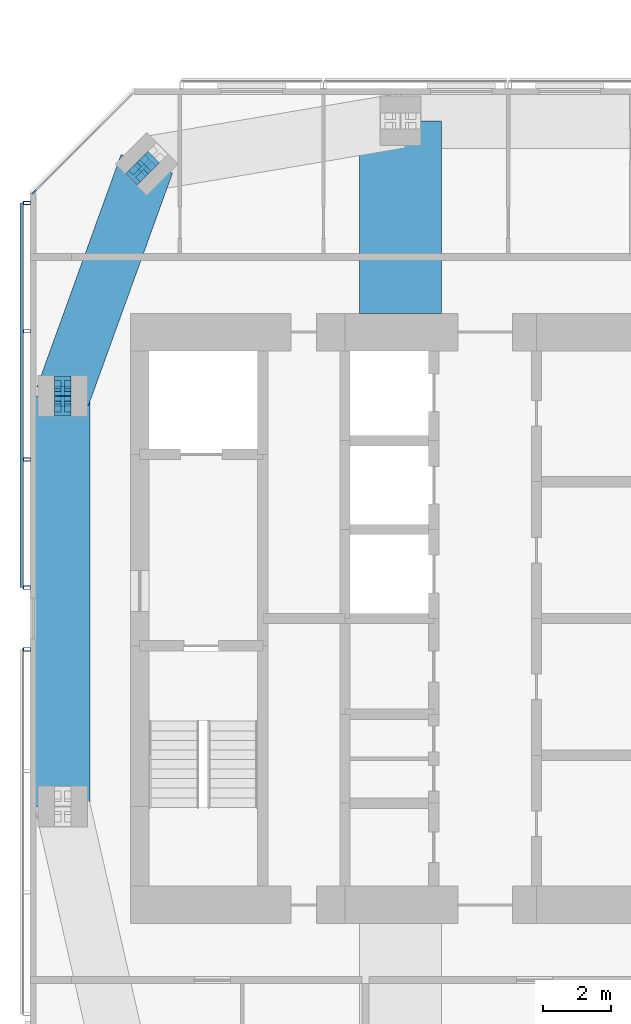
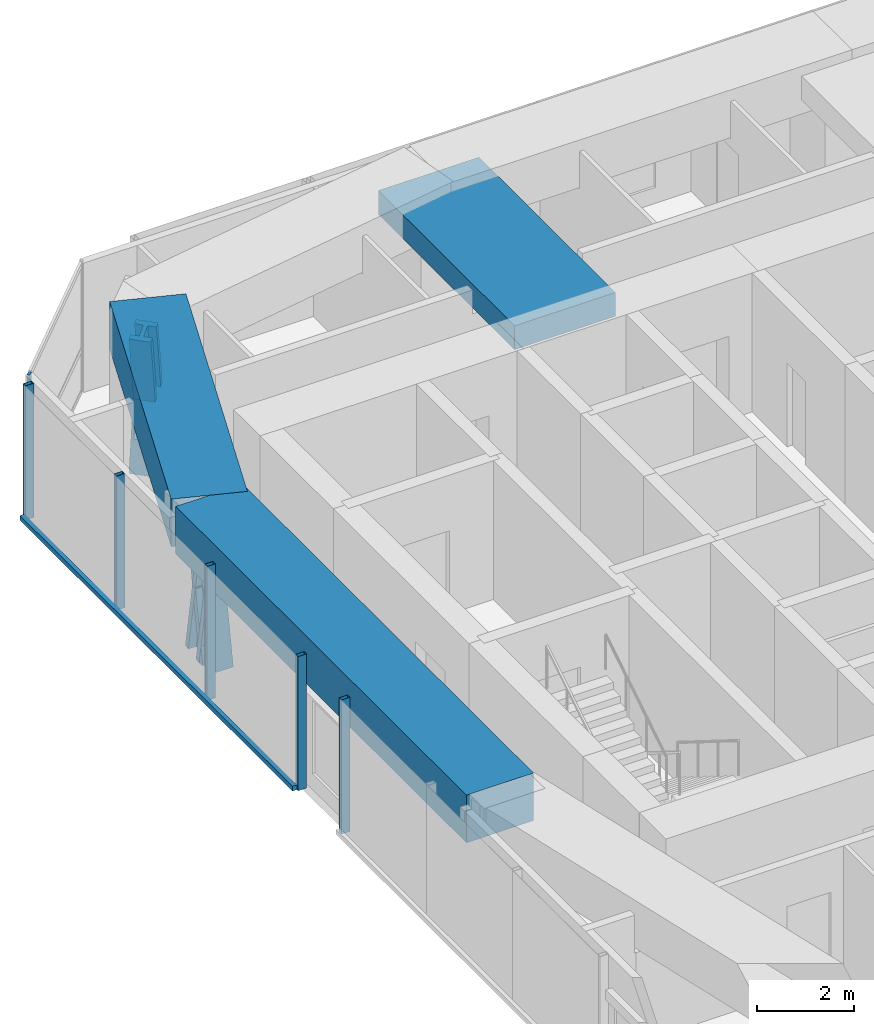
# One storey, part 6 of 20: 13 members, 3 beams, 3 elements without a shape of their own.
"""IFC4 building model written with IfcOpenShell, lengths in metres."""

from ifc_helpers import new_model, si_unit, direction, frame, origin, origin_2d, place, context, subcontext, project, spatial, rectangle, hollow_rectangle, i_section, extrude, material, material_profile, profile_set, type_object, element, aggregate, save


model = new_model("IFC4")

# Units and contexts
model_context = context("Model", 3, precision=1e-05, world=origin(), true_north=direction((0.0, 1.0)))
body_context = subcontext(model_context, "Body", "Model", "MODEL_VIEW")
ifc_project = project(units=[si_unit("LENGTHUNIT", "METRE"), si_unit("AREAUNIT", "SQUARE_METRE"), si_unit("VOLUMEUNIT", "CUBIC_METRE"), si_unit("PLANEANGLEUNIT", "RADIAN"), si_unit("MASSUNIT", "GRAM", prefix="KILO")], contexts=[model_context])

# Site, building, storey
site_placement = place(None, origin())
site = spatial("IfcSite", under=ifc_project, at=site_placement, CompositionType="ELEMENT")
building_placement = place(site_placement, origin())
building = spatial("IfcBuilding", under=site, at=building_placement, Name="Jalousie Tower", CompositionType="ELEMENT")
storey_placement = place(building_placement, frame((0.0, 0.0, 245.949951171875)))
storey = spatial("IfcBuildingStorey", under=building, at=storey_placement, Name="L67", CompositionType="ELEMENT", Elevation=245.949951171875)

# Curtain wall, member
ifc_material_1 = material(Name="Aluminium curtain wall", Category="aluminium")
curtain_wall_type_1 = type_object("IfcCurtainWallType", Name="CORNER WINDOW WALL", PredefinedType="USERDEFINED", material=ifc_material_1)
curtain_wall_1_placement = place(storey_placement, origin())
curtain_wall_1 = element("IfcCurtainWall", 1, at=curtain_wall_1_placement, inside=storey, type_object=curtain_wall_type_1, Name="Corner Window Wall L67 6", ObjectType="CORNER WINDOW WALL", PredefinedType="USERDEFINED")
ifc_material_2 = material(Name="Aluminium mullion", Category="aluminium")
ifc_material_profile_1 = material_profile(ifc_material_2, rectangle(XDim=0.06005859375, YDim=0.14990234375, at=origin_2d()), Name="MULLION 60x150")
ifc_profile_set_1 = profile_set([ifc_material_profile_1], Name="Aluminium mullion")
member_type_1 = type_object("IfcMemberType", Name="CORNER WINDOW WALL MULLION", PredefinedType="MULLION", material=ifc_profile_set_1)
member_1_placement = place(storey_placement, frame((16.90869140625, 30.969970703125, 0.0), z_axis=(0.0, 0.0, 1.0), x_axis=(0.707106781187, -0.707106781187, 0.0)))
member_1 = element("IfcMember", 2, at=member_1_placement, type_object=member_type_1, Name="CW-C mullion 2", PredefinedType="MULLION", context=body_context, shape_type="SweptSolid", body=[
    extrude(rectangle(XDim=0.06005859375, YDim=0.14990234375, at=origin_2d()), origin(), (0.0, 0.0, 1.0), 3.260009765625),
])
aggregate(curtain_wall_1, [member_1])

# Members
ifc_material_3 = material(Name="Steel ASTM A992 Grade 50", Category="steel")
ifc_material_profile_2 = material_profile(ifc_material_3, i_section(OverallWidth=0.472412109375, OverallDepth=0.5791015625, WebThickness=0.094970703125, FlangeThickness=0.1298828125, at=origin_2d()), Name="W14X808")
ifc_profile_set_2 = profile_set([ifc_material_profile_2], Name="Steel ASTM A992 Grade 50")
member_type_2 = type_object("IfcMemberType", Name="PERIMETER BRACE W14X808", PredefinedType="BRACE", material=ifc_profile_set_2)
for number, where, z_axis, x_axis, name in (
    (3, (20.20703125, 31.79296875, 1.150146484375), (-0.138579250682, -0.138716051522, 0.980588419435), (0.707455539091, -0.706757851183, 0.0), "Perimeter brace 12 L67 part 2"),
    (4, (19.959716796875, 31.54541015625, -0.599853515625), (0.138579250682, 0.138716051522, 0.980588419435), (-0.707455539091, 0.706757851183, 0.0), "Perimeter brace 12 L67 part 3"),
):
    element("IfcMember", number, at=place(storey_placement, frame(where, z_axis=z_axis, x_axis=x_axis)), inside=storey, type_object=member_type_2, Name=name, PredefinedType="BRACE", context=body_context, shape_type="SweptSolid", body=[
        extrude(i_section(OverallWidth=0.472412109375, OverallDepth=0.5791015625, WebThickness=0.094970703125, FlangeThickness=0.1298828125, at=origin_2d()), origin(), (0.0, 0.0, 1.0), 1.78466796875),
    ])
for number, where, z_axis, x_axis, name in (
    (5, (17.75, 24.699951171875, -0.599853515625), (0.0, 0.168990530437, 0.98561767467), (-1.0, 0.0, 0.0), "Perimeter brace 13 L67 part 1"),
    (6, (17.75, 25.0, 1.150146484375), (0.0, 0.168990530437, 0.98561767467), (-1.0, 0.0, 0.0), "Perimeter brace 13 L67 part 2"),
    (7, (17.75, 25.300048828125, -0.599853515625), (0.0, -0.168990530437, 0.98561767467), (1.0, 0.0, 0.0), "Perimeter brace 13 L67 part 3"),
    (8, (17.75, 25.0, 1.150146484375), (0.0, -0.168990530437, 0.98561767467), (1.0, 0.0, 0.0), "Perimeter brace 13 L67 part 4"),
):
    element("IfcMember", number, at=place(storey_placement, frame(where, z_axis=z_axis, x_axis=x_axis)), inside=storey, type_object=member_type_2, Name=name, PredefinedType="BRACE", context=body_context, shape_type="SweptSolid", body=[
        extrude(i_section(OverallWidth=0.472412109375, OverallDepth=0.5791015625, WebThickness=0.094970703125, FlangeThickness=0.1298828125, at=origin_2d()), origin(), (0.0, 0.0, 1.0), 1.775634765625),
    ])

# Beams
ifc_material_4 = material(Name="Concrete f'c 40 MPa", Category="concrete")
ifc_material_profile_3 = material_profile(ifc_material_4, rectangle(XDim=1.60009765625, YDim=1.199951171875, at=origin_2d()), Name="RC 1600x1200")
ifc_profile_set_3 = profile_set([ifc_material_profile_3], Name="Concrete f'c 40 MPa")
beam_type_1 = type_object("IfcBeamType", Name="RC BEAM 1600x1200", PredefinedType="BEAM", material=ifc_profile_set_3)
beam_1_placement = place(storey_placement, frame((20.20703125, 31.79296875, 2.900146484375), z_axis=(-0.340136081654, -0.940376225751, 0.0), x_axis=(0.940376225751, -0.340136081654, 0.0)))
element("IfcBeam", 9, at=beam_1_placement, inside=storey, type_object=beam_type_1, Name="Edge band beam 12-13 under L68", PredefinedType="BEAM", context=body_context, shape_type="SweptSolid", body=[
    extrude(rectangle(XDim=1.60009765625, YDim=1.199951171875, at=origin_2d()), origin(), (0.0, 0.0, 1.0), 7.2236328125),
])
beam_2_placement = place(storey_placement, frame((17.75, 25.0, 2.900146484375), z_axis=(0.0, -1.0, 0.0), x_axis=(1.0, 0.0, 0.0)))
element("IfcBeam", 10, at=beam_2_placement, inside=storey, type_object=beam_type_1, Name="Edge band beam 13-14 under L68", PredefinedType="BEAM", context=body_context, shape_type="SweptSolid", body=[
    extrude(rectangle(XDim=1.60009765625, YDim=1.199951171875, at=origin_2d()), origin(), (0.0, 0.0, 1.0), 12.0),
])
ifc_material_5 = material(Name="Concrete f'c 40 MPa", Category="concrete")
ifc_material_profile_4 = material_profile(ifc_material_5, rectangle(XDim=2.39990234375, YDim=0.60009765625, at=origin_2d()), Name="RC 2400x600")
ifc_profile_set_4 = profile_set([ifc_material_profile_4], Name="Concrete f'c 40 MPa")
beam_type_2 = type_object("IfcBeamType", Name="RC BEAM 2400x600", PredefinedType="BEAM", material=ifc_profile_set_4)
beam_3_placement = place(storey_placement, frame((27.625, 33.050048828125, 2.9599609375), z_axis=(0.0, -1.0, 0.0), x_axis=(1.0, 0.0, 0.0)))
element("IfcBeam", 11, at=beam_3_placement, inside=storey, type_object=beam_type_2, Name="Floor band beam under L68", PredefinedType="BEAM", context=body_context, shape_type="SweptSolid", body=[
    extrude(rectangle(XDim=2.39990234375, YDim=0.60009765625, at=origin_2d()), origin(), (0.0, 0.0, 1.0), 5.625),
])

# Curtain wall, members
ifc_material_6 = material(Name="Perforated aluminium sheet", Category="aluminium")
curtain_wall_type_2 = type_object("IfcCurtainWallType", Name="SOLAR SCREEN SS-2", PredefinedType="USERDEFINED", material=ifc_material_6)
curtain_wall_2_placement = place(storey_placement, origin())
curtain_wall_2 = element("IfcCurtainWall", 12, at=curtain_wall_2_placement, inside=storey, type_object=curtain_wall_type_2, Name="Solar screen L67", ObjectType="SOLAR SCREEN SS-2", PredefinedType="USERDEFINED")
ifc_material_7 = material(Name="Steel ASTM A500 Grade C", Category="steel")
ifc_material_profile_5 = material_profile(ifc_material_7, hollow_rectangle(XDim=0.1015625, YDim=0.203125, WallThickness=0.0078125, at=origin_2d()), Name="HSS8X4X5/16")
ifc_profile_set_5 = profile_set([ifc_material_profile_5], Name="Steel ASTM A500 Grade C")
member_type_3 = type_object("IfcMemberType", Name="SOLAR SCREEN SS-2 MULLION", PredefinedType="MULLION", material=ifc_profile_set_5)
member_2_placement = place(storey_placement, frame((16.703369140625, 30.648681640625, -0.119873046875), z_axis=(0.0, 0.0, 1.0), x_axis=(0.0, -1.0, 0.0)))
member_2 = element("IfcMember", 13, at=member_2_placement, type_object=member_type_3, Name="SS2 post 1", PredefinedType="MULLION", context=body_context, shape_type="SweptSolid", body=[
    extrude(hollow_rectangle(XDim=0.1015625, YDim=0.203125, WallThickness=0.0078125, at=origin_2d()), origin(), (0.0, 0.0, 1.0), 3.3798828125),
])
member_3_placement = place(storey_placement, frame((16.703369140625, 26.899169921875, -0.119873046875), z_axis=(0.0, 0.0, 1.0), x_axis=(0.0, -1.0, 0.0)))
member_3 = element("IfcMember", 14, at=member_3_placement, type_object=member_type_3, Name="SS2 post 2", PredefinedType="MULLION", context=body_context, shape_type="SweptSolid", body=[
    extrude(hollow_rectangle(XDim=0.1015625, YDim=0.203125, WallThickness=0.0078125, at=origin_2d()), origin(), (0.0, 0.0, 1.0), 3.3798828125),
])
member_4_placement = place(storey_placement, frame((16.703369140625, 23.149658203125, -0.119873046875), z_axis=(0.0, 0.0, 1.0), x_axis=(0.0, -1.0, 0.0)))
member_4 = element("IfcMember", 15, at=member_4_placement, type_object=member_type_3, Name="SS2 post 3", PredefinedType="MULLION", context=body_context, shape_type="SweptSolid", body=[
    extrude(hollow_rectangle(XDim=0.1015625, YDim=0.203125, WallThickness=0.0078125, at=origin_2d()), origin(), (0.0, 0.0, 1.0), 3.3798828125),
])
member_5_placement = place(storey_placement, frame((16.703369140625, 19.39990234375, -0.119873046875), z_axis=(0.0, 0.0, 1.0), x_axis=(0.0, -1.0, 0.0)))
member_5 = element("IfcMember", 16, at=member_5_placement, type_object=member_type_3, Name="SS2 post 4", PredefinedType="MULLION", context=body_context, shape_type="SweptSolid", body=[
    extrude(hollow_rectangle(XDim=0.1015625, YDim=0.203125, WallThickness=0.0078125, at=origin_2d()), origin(), (0.0, 0.0, 1.0), 3.3798828125),
])

# Curtain wall, member
curtain_wall_3_placement = place(storey_placement, origin())
curtain_wall_3 = element("IfcCurtainWall", 17, at=curtain_wall_3_placement, inside=storey, type_object=curtain_wall_type_2, Name="Solar screen L67", ObjectType="SOLAR SCREEN SS-2", PredefinedType="USERDEFINED")
member_6_placement = place(storey_placement, frame((16.703369140625, 17.60009765625, -0.119873046875), z_axis=(0.0, 0.0, 1.0), x_axis=(0.0, -1.0, 0.0)))
member_6 = element("IfcMember", 18, at=member_6_placement, type_object=member_type_3, Name="SS2 post 1", PredefinedType="MULLION", context=body_context, shape_type="SweptSolid", body=[
    extrude(hollow_rectangle(XDim=0.1015625, YDim=0.203125, WallThickness=0.0078125, at=origin_2d()), origin(), (0.0, 0.0, 1.0), 3.3798828125),
])
aggregate(curtain_wall_3, [member_6])

# Member
ifc_material_8 = material(Name="Extruded aluminium screen rail", Category="aluminium")
ifc_material_profile_6 = material_profile(ifc_material_8, rectangle(XDim=0.1015625, YDim=0.1201171875, at=origin_2d()), Name="RAIL 102x120")
ifc_profile_set_6 = profile_set([ifc_material_profile_6], Name="Extruded aluminium screen rail")
member_type_4 = type_object("IfcMemberType", Name="SOLAR SCREEN SS-2 TRANSOM", PredefinedType="USERDEFINED", material=ifc_profile_set_6)
member_7_placement = place(storey_placement, frame((16.551025390625, 30.648681640625, -0.06005859375), z_axis=(0.0, -1.0, 0.0), x_axis=(1.0, 0.0, 0.0)))
member_7 = element("IfcMember", 19, at=member_7_placement, type_object=member_type_4, Name="SS2 rail", ObjectType="TRANSOM", PredefinedType="USERDEFINED", context=body_context, shape_type="SweptSolid", body=[
    extrude(rectangle(XDim=0.1015625, YDim=0.1201171875, at=origin_2d()), origin(), (0.0, 0.0, 1.0), 11.248779296875),
])

aggregate(curtain_wall_2, [member_2, member_3, member_4, member_5, member_7])

save(model, "model.ifc")
